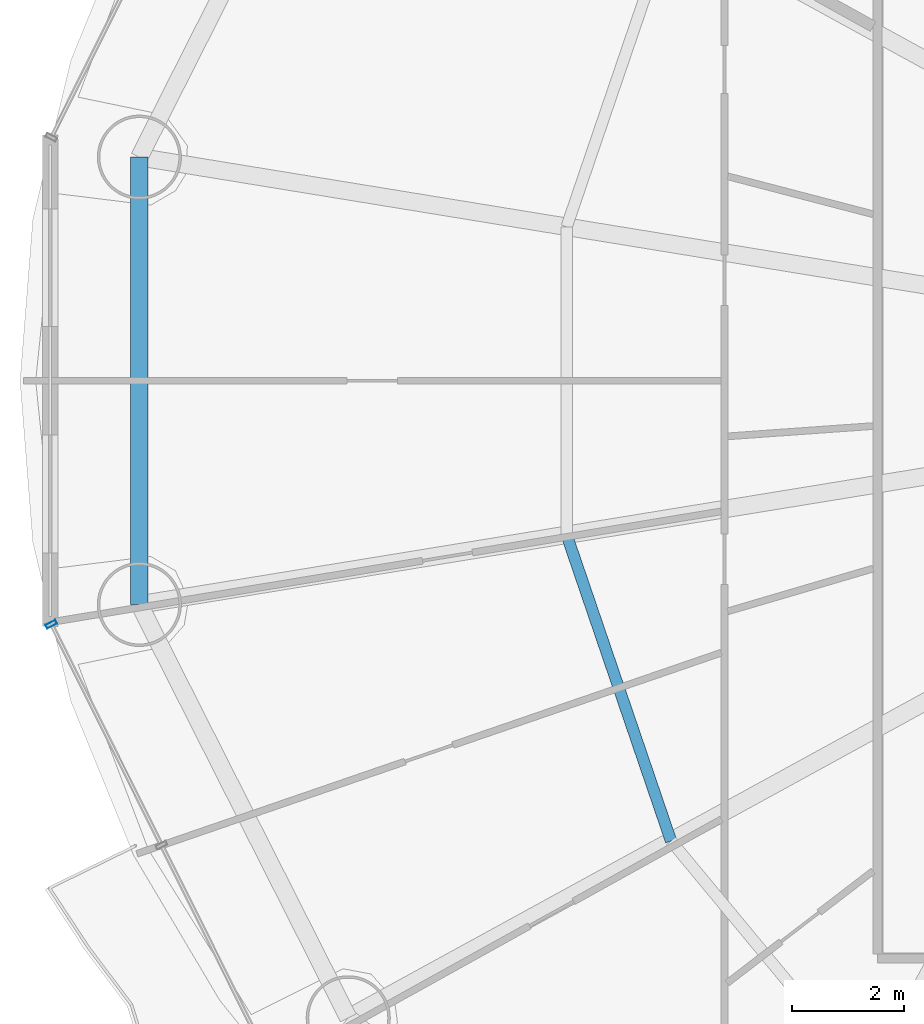
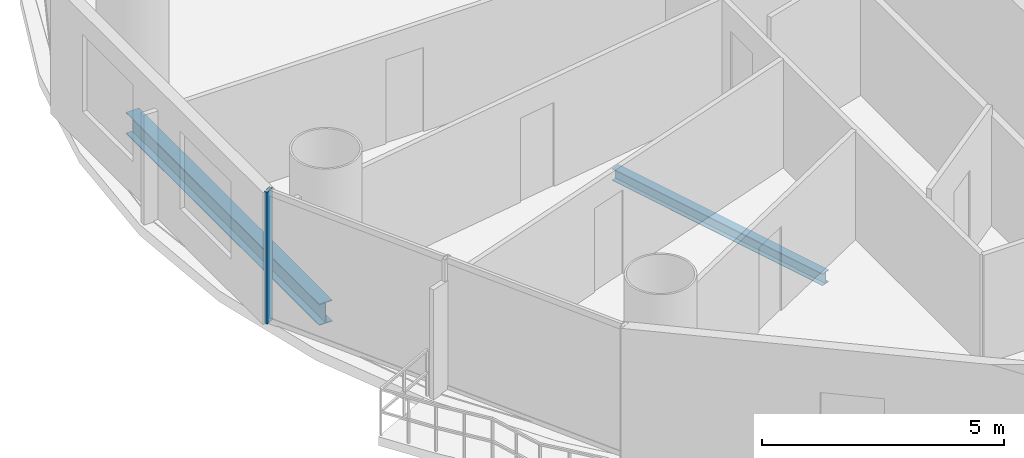
# One storey, part 7 of 29: 2 beams, 1 member, 1 element without a shape of its own.
"""IFC4 building model written with IfcOpenShell, lengths in metres."""

from ifc_helpers import new_model, si_unit, direction, frame, origin, origin_2d, place, context, subcontext, project, spatial, hollow_rectangle, i_section, extrude, source, transform, mapped, material, material_profile, profile_set, type_object, element, aggregate, save


model = new_model("IFC4")

# Units and contexts
model_context = context("Model", 3, precision=1e-05, world=origin(), true_north=direction((-0.2419218956, 0.970295726276)))
body_context = subcontext(model_context, "Body", "Model", "MODEL_VIEW")
ifc_project = project(units=[si_unit("LENGTHUNIT", "METRE"), si_unit("AREAUNIT", "SQUARE_METRE"), si_unit("VOLUMEUNIT", "CUBIC_METRE"), si_unit("PLANEANGLEUNIT", "RADIAN"), si_unit("MASSUNIT", "GRAM", prefix="KILO")], contexts=[model_context])

# Site, building, storey
site_placement = place(None, origin())
site = spatial("IfcSite", under=ifc_project, at=site_placement, CompositionType="ELEMENT")
building_placement = place(site_placement, origin())
building = spatial("IfcBuilding", under=site, at=building_placement, Name="Cobrevalo Terracotta Tower", CompositionType="ELEMENT")
storey_placement = place(building_placement, frame((0.0, 0.0, 90.60009765625)))
storey = spatial("IfcBuildingStorey", under=building, at=storey_placement, Name="L23", CompositionType="ELEMENT", Elevation=90.60009765625)

# Beams
ifc_material_1 = material(Name="Steel S355", Category="steel")
ifc_material_profile_1 = material_profile(ifc_material_1, i_section(OverallWidth=0.2041015625, OverallDepth=0.305908203125, WebThickness=0.008544921875, FlangeThickness=0.0146484375, at=origin_2d()), Name="W 310x67")
ifc_profile_set_1 = profile_set([ifc_material_profile_1], Name="Steel S355")
beam_type_1 = type_object("IfcBeamType", Name="Structural Joist W 310x67 (Steel S355)", PredefinedType="JOIST", material=ifc_profile_set_1)
beam_1_placement = place(storey_placement, frame((21.149658203125, 24.052734375, -0.427978515625), z_axis=(0.322846227919, -0.946451431991, 0.0), x_axis=(0.946451431991, 0.322846227919, 0.0)))
element("IfcBeam", 1, at=beam_1_placement, inside=storey, type_object=beam_type_1, Name="L23 circumferential secondary floor joist 09", PredefinedType="JOIST", context=body_context, shape_type="SweptSolid", body=[
    extrude(i_section(OverallWidth=0.2041015625, OverallDepth=0.305908203125, WebThickness=0.008544921875, FlangeThickness=0.0146484375, at=origin_2d()), origin(), (0.0, 0.0, 1.0), 5.77001953125),
])
ifc_material_profile_2 = material_profile(ifc_material_1, i_section(OverallWidth=0.31201171875, OverallDepth=0.54296875, WebThickness=0.0126953125, FlangeThickness=0.020263671875, at=origin_2d()), Name="W 530x150")
ifc_profile_set_2 = profile_set([ifc_material_profile_2], Name="Steel S355")
beam_type_2 = type_object("IfcBeamType", Name="Structural Spandrel W 530x150 (Steel S355)", PredefinedType="SPANDREL", material=ifc_profile_set_2)
beam_2_placement = place(storey_placement, frame((13.529296875, 30.78955078125, -0.546630859375), z_axis=(0.0, -1.0, 0.0), x_axis=(1.0, 0.0, 0.0)))
element("IfcBeam", 2, at=beam_2_placement, inside=storey, type_object=beam_type_2, Name="L23 perimeter ring spandrel 08", PredefinedType="SPANDREL", context=body_context, shape_type="SweptSolid", body=[
    extrude(i_section(OverallWidth=0.31201171875, OverallDepth=0.54296875, WebThickness=0.0126953125, FlangeThickness=0.020263671875, at=origin_2d()), origin(), (0.0, 0.0, 1.0), 7.979248046875),
])

# Curtain wall, member
ifc_material_2 = material(Name="Anodized aluminium", Category="aluminium")
curtain_wall_type = type_object("IfcCurtainWallType", Name="Lower-tower unitised acoustic low-E curtain wall CW-U1", PredefinedType="NOTDEFINED", material=ifc_material_2)
curtain_wall_placement = place(storey_placement, origin())
curtain_wall = element("IfcCurtainWall", 3, at=curtain_wall_placement, inside=storey, type_object=curtain_wall_type, Name="L23 curtain wall CW-L23-S09", PredefinedType="NOTDEFINED")
ifc_material_profile_3 = material_profile(ifc_material_2, hollow_rectangle(XDim=0.074951171875, YDim=0.199951171875, WallThickness=0.0048828125, at=origin_2d()), Name="CWM 75x200")
ifc_profile_set_3 = profile_set([ifc_material_profile_3], Name="Anodized aluminium")
member_type = type_object("IfcMemberType", Name="Lower/mid tower unitised mullion 75x200", PredefinedType="MULLION", material=ifc_profile_set_3)
shared_shape = source(origin(), body_context, "Body", "SweptSolid", [
    extrude(hollow_rectangle(XDim=0.074951171875, YDim=0.199951171875, WallThickness=0.0048828125, at=origin_2d()), origin(), (0.0, 0.0, 1.0), 3.324951171875),
])
member_placement = place(storey_placement, frame((11.95849609375, 22.45849609375, 0.0), z_axis=(0.0, 0.0, 1.0), x_axis=(0.446260290227, -0.894903208937, 0.0)))
member = element("IfcMember", 4, at=member_placement, type_object=member_type, Name="CW-L23-S09 vertical mullion 01", PredefinedType="MULLION", context=body_context, shape_type="MappedRepresentation", body=[
    mapped(shared_shape, transform((0.0, 0.0, 0.0), scale=1.0)),
])
aggregate(curtain_wall, [member])

save(model, "model.ifc")
